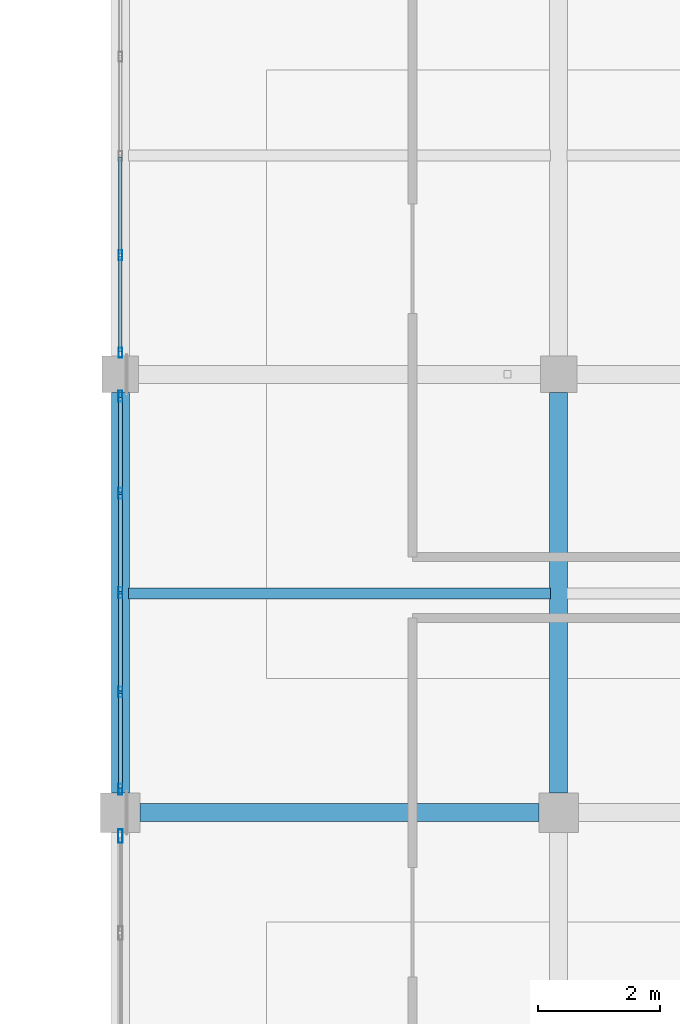
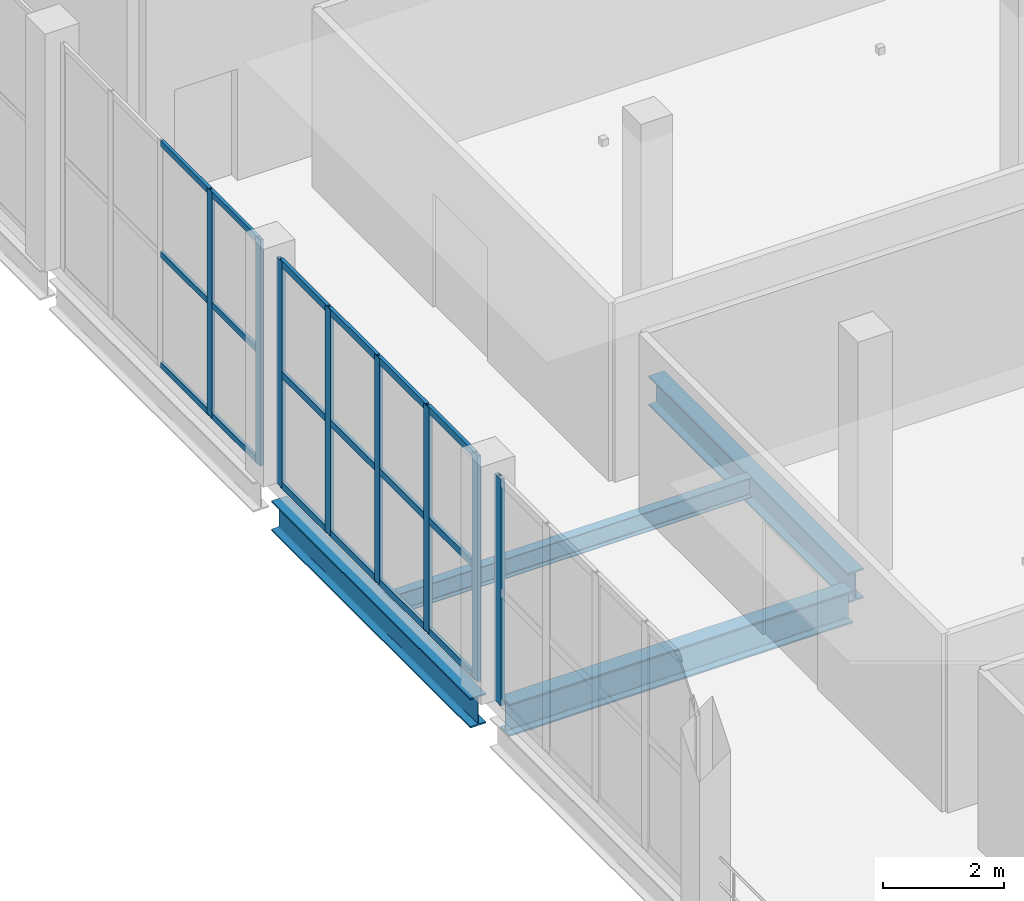
# One storey, part 60 of 105: 26 members, 4 beams, 3 elements without a shape of their own.
"""IFC4 building model written with IfcOpenShell, lengths in metres."""

import ifcopenshell
import ifcopenshell.guid

model = None  # the IFC model being written
_history = None  # IfcOwnerHistory: only IFC2X3 demands one
_inside = {}  # id of a spatial element -> (the spatial element, [elements in it])
_under = {}  # id of a project, library or spatial element -> (it, [spatial elements below it])
_declared = {}  # id of a project -> (the project, [libraries it declares])
_typed = {}  # id of a type object -> (the type object, [elements of that type])
_made_of = {}  # id of a material, layer set ... -> (it, [elements and type objects made of it])


def new_model(schema):
    """Start an empty IFC model of exactly this schema.

    Asked for "IFC4X3", IfcOpenShell would pick the latest addendum, in which some entities
    have other attributes; the version numbers below select the first issue.
    IFC2X3 requires an IfcOwnerHistory on every rooted entity: one is made here for all.
    """
    global model, _history
    if schema == "IFC4X3":
        model = ifcopenshell.file(schema_version=(4, 3, 0, 0))
    else:
        model = ifcopenshell.file(schema=schema)
    _inside.clear()
    _under.clear()
    _declared.clear()
    _typed.clear()
    _made_of.clear()
    _history = None
    if model.schema == "IFC2X3":
        org = make("IfcOrganization", Name="unknown")
        user = make(
            "IfcPersonAndOrganization",
            ThePerson=make("IfcPerson", FamilyName="unknown"),
            TheOrganization=org,
        )
        app = make(
            "IfcApplication",
            ApplicationDeveloper=org,
            Version="unknown",
            ApplicationFullName="unknown",
            ApplicationIdentifier="unknown",
        )
        _history = make(
            "IfcOwnerHistory",
            OwningUser=user,
            OwningApplication=app,
            ChangeAction="ADDED",
            CreationDate=0,
        )
    return model


def make(cls, **values):
    """One entity of the class cls with the attributes given. An attribute that is None is left unset."""
    return model.create_entity(
        cls, **{name: value for name, value in values.items() if value is not None}
    )


def rooted(cls, **values):
    """An entity with a GlobalId (a new one), such as an element, a storey or a relation."""
    return make(cls, GlobalId=ifcopenshell.guid.new(), OwnerHistory=_history, **values)


def si_unit(unit_type, name, prefix=None):
    """IfcSIUnit, for example si_unit("LENGTHUNIT", "METRE", prefix="MILLI")."""
    return make("IfcSIUnit", UnitType=unit_type, Prefix=prefix, Name=name)


def assignment(units):
    """IfcUnitAssignment: the units of a project."""
    return None if units is None else make("IfcUnitAssignment", Units=units)


def point(xyz):
    """IfcCartesianPoint."""
    return None if xyz is None else make("IfcCartesianPoint", Coordinates=xyz)


def direction(xyz):
    """IfcDirection."""
    return None if xyz is None else make("IfcDirection", DirectionRatios=xyz)


def frame(location, z_axis=None, x_axis=None):
    """IfcAxis2Placement3D, a coordinate frame: its origin and axes. An axis left out is left unset."""
    return make(
        "IfcAxis2Placement3D",
        Location=point(location),
        Axis=direction(z_axis),
        RefDirection=direction(x_axis),
    )


def frame_2d(location, x_axis=None):
    """IfcAxis2Placement2D, a coordinate frame in the plane: its origin and x axis."""
    return make(
        "IfcAxis2Placement2D", Location=point(location), RefDirection=direction(x_axis)
    )


def origin():
    """The frame at (0, 0, 0) with its axes left unset."""
    return frame((0.0, 0.0, 0.0))


def origin_2d():
    """The frame at (0, 0) in the plane with its x axis left unset."""
    return frame_2d((0.0, 0.0))


def place(relative_to, where):
    """IfcLocalPlacement: puts the frame where relative to a parent placement (None: the world)."""
    return make(
        "IfcLocalPlacement", PlacementRelTo=relative_to, RelativePlacement=where
    )


def context(
    kind, dimensions, precision=None, world=None, true_north=None, identifier=None
):
    """IfcGeometricRepresentationContext, for example the 3D "Model" context."""
    return make(
        "IfcGeometricRepresentationContext",
        ContextIdentifier=identifier,
        ContextType=kind,
        CoordinateSpaceDimension=dimensions,
        Precision=precision,
        WorldCoordinateSystem=world,
        TrueNorth=true_north,
    )


def subcontext(parent, identifier, kind, view, scale=None):
    """IfcGeometricRepresentationSubContext, for example "Body" below "Model"."""
    return make(
        "IfcGeometricRepresentationSubContext",
        ContextIdentifier=identifier,
        ContextType=kind,
        ParentContext=parent,
        TargetScale=scale,
        TargetView=view,
    )


def project(units=None, contexts=None):
    """IfcProject with its units and contexts."""
    return rooted(
        "IfcProject",
        Name="project",
        RepresentationContexts=contexts,
        UnitsInContext=assignment(units),
    )


def spatial(cls, under=None, at=None, **own):
    """A site, building, storey or space (cls), placed at a placement, below another one or the project."""
    s = rooted(cls, ObjectPlacement=at, **own)
    if under is not None:
        _under.setdefault(under.id(), (under, []))[1].append(s)
    return s


def profile(cls, at=None, kind="AREA", **sizes):
    """A parametric profile (cls). Its sizes go by their IFC names, for example OverallWidth=200.0."""
    return make(cls, ProfileType=kind, Position=at, **sizes)


def hollow_rectangle(**sizes):
    """IfcRectangleHollowProfileDef."""
    return profile("IfcRectangleHollowProfileDef", **sizes)


def i_section(**sizes):
    """IfcIShapeProfileDef."""
    return profile("IfcIShapeProfileDef", **sizes)


def extrude(swept, where, along, depth):
    """IfcExtrudedAreaSolid: the profile swept, set in the frame where, extruded along a direction by depth."""
    return make(
        "IfcExtrudedAreaSolid",
        SweptArea=swept,
        Position=where,
        ExtrudedDirection=direction(along),
        Depth=depth,
    )


def shape(context_of_items, identifier, shape_type, items):
    """IfcShapeRepresentation: the items that make up one representation, for example the "Body"."""
    return make(
        "IfcShapeRepresentation",
        ContextOfItems=context_of_items,
        RepresentationIdentifier=identifier,
        RepresentationType=shape_type,
        Items=items,
    )


def material(Name=None, Category=None):
    """IfcMaterial."""
    return make("IfcMaterial", Name=Name, Category=Category)


def material_profile(
    of_material, cross_section, Name=None, Category=None, Priority=None
):
    """IfcMaterialProfile: a cross section and its material."""
    return make(
        "IfcMaterialProfile",
        Name=Name,
        Material=of_material,
        Profile=cross_section,
        Priority=Priority,
        Category=Category,
    )


def profile_set(profiles, Name=None, composite=None):
    """IfcMaterialProfileSet."""
    return make(
        "IfcMaterialProfileSet",
        Name=Name,
        MaterialProfiles=profiles,
        CompositeProfile=composite,
    )


def made_of(thing, what):
    """Note that an element or type object is made of a material, layer set ...; save() writes the relation."""
    if what is not None:
        _made_of.setdefault(what.id(), (what, []))[1].append(thing)
    return thing


def type_object(cls, material=None, **own):
    """A type object (cls), such as IfcWallType, which elements share."""
    return made_of(rooted(cls, **own), material)


def element(
    cls,
    number,
    at=None,
    inside=None,
    cuts=None,
    type_object=None,
    material=None,
    context=None,
    identifier="Body",
    shape_type=None,
    held_by="IfcProductDefinitionShape",
    body=None,
    shapes=None,
    **own,
):
    """One element of the class cls, such as IfcWall. Its Tag is "e" and its number.

    at: its placement. inside: the storey or other place that contains it. cuts: it is an
    opening in that element (IfcRelVoidsElement). A single representation is given by context,
    identifier, shape_type and body (its items); several are given by shapes. held_by: the class
    of the entity that holds the representations. save() writes the other relations.
    """
    e = rooted(cls, Tag="e%d" % number, ObjectPlacement=at, **own)
    if body is not None:
        shapes = [shape(context, identifier, shape_type, body)]
    if shapes is not None:
        e.Representation = make(held_by, Representations=shapes)
    if inside is not None:
        _inside.setdefault(inside.id(), (inside, []))[1].append(e)
    if cuts is not None:
        rooted(
            "IfcRelVoidsElement", RelatingBuildingElement=cuts, RelatedOpeningElement=e
        )
    if type_object is not None:
        _typed.setdefault(type_object.id(), (type_object, []))[1].append(e)
    return made_of(e, material)


def aggregate(whole, parts):
    """IfcRelAggregates: a whole, such as a stair, and the parts it consists of."""
    return rooted("IfcRelAggregates", RelatingObject=whole, RelatedObjects=parts)


def save(model, path):
    """Write the relations noted so far, then the file.

    IfcRelAggregates (storeys below a building ...), IfcRelContainedInSpatialStructure (elements
    in a storey), IfcRelDefinesByType, IfcRelAssociatesMaterial and IfcRelDeclares: one each for
    every whole, place, type object, material and project.
    """
    for whole, parts in _under.values():
        aggregate(whole, parts)
    for where, things in _inside.values():
        rooted(
            "IfcRelContainedInSpatialStructure",
            RelatedElements=things,
            RelatingStructure=where,
        )
    for kind, things in _typed.values():
        rooted("IfcRelDefinesByType", RelatedObjects=things, RelatingType=kind)
    for what, things in _made_of.values():
        rooted("IfcRelAssociatesMaterial", RelatedObjects=things, RelatingMaterial=what)
    for by, libraries in _declared.values():
        rooted("IfcRelDeclares", RelatingContext=by, RelatedDefinitions=libraries)
    model.write(path)


model = new_model("IFC4")

# Units and contexts
model_context = context("Model", 3, precision=1e-05, world=origin(), true_north=direction((0.0, 1.0)))
body_context = subcontext(model_context, "Body", "Model", "MODEL_VIEW")
ifc_project = project(units=[si_unit("LENGTHUNIT", "METRE"), si_unit("AREAUNIT", "SQUARE_METRE"), si_unit("VOLUMEUNIT", "CUBIC_METRE"), si_unit("PLANEANGLEUNIT", "RADIAN"), si_unit("MASSUNIT", "GRAM", prefix="KILO")], contexts=[model_context])

# Site, building, storey
site_placement = place(None, origin())
site = spatial("IfcSite", under=ifc_project, at=site_placement, CompositionType="ELEMENT")
building_placement = place(site_placement, origin())
building = spatial("IfcBuilding", under=site, at=building_placement, Name="Qandorah Velis Arena", CompositionType="ELEMENT")
storey_placement = place(building_placement, frame((0.0, 0.0, 13.800048828125)))
storey = spatial("IfcBuildingStorey", under=building, at=storey_placement, Name="L03", CompositionType="ELEMENT", Elevation=13.800048828125)

# Curtain wall, members
ifc_material_1 = material(Name="Solar-control low-E double glazing", Category="glass")
curtain_wall_type_1 = type_object("IfcCurtainWallType", Name="ARC-CW-SYS11", PredefinedType="USERDEFINED", material=ifc_material_1)
curtain_wall_1_placement = place(storey_placement, origin())
curtain_wall_1 = element("IfcCurtainWall", 1, at=curtain_wall_1_placement, inside=storey, type_object=curtain_wall_type_1, Name="Unitised curtain wall L03-131", ObjectType="UNITISED CURTAIN WALL", PredefinedType="USERDEFINED")
ifc_material_2 = material(Name="Champagne-bronze anodized aluminium 6063-T6", Category="aluminium")
ifc_material_profile_1 = material_profile(ifc_material_2, hollow_rectangle(XDim=0.06005859375, YDim=0.159912109375, WallThickness=0.00341796875, at=origin_2d()), Name="ALU MULLION 60x160")
ifc_profile_set_1 = profile_set([ifc_material_profile_1], Name="Champagne-bronze anodized aluminium 6063-T6")
member_type_1 = type_object("IfcMemberType", Name="ARC-CWM-160", PredefinedType="MULLION", material=ifc_profile_set_1)
member_1_placement = place(storey_placement, frame((151.199951171875, 72.35498046875, -0.01513671875), z_axis=(0.0, 0.0, 1.0), x_axis=(-1.0, 0.0, 0.0)))
member_1 = element("IfcMember", 2, at=member_1_placement, type_object=member_type_1, Name="CW11 mullion 1", PredefinedType="MULLION", context=body_context, shape_type="SweptSolid", body=[
    extrude(hollow_rectangle(XDim=0.06005859375, YDim=0.159912109375, WallThickness=0.00341796875, at=origin_2d()), origin(), (0.0, 0.0, 1.0), 4.56005859375),
])
member_2_placement = place(storey_placement, frame((151.199951171875, 73.956298828125, -0.01513671875), z_axis=(0.0, 0.0, 1.0), x_axis=(-1.0, 0.0, 0.0)))
member_2 = element("IfcMember", 3, at=member_2_placement, type_object=member_type_1, Name="CW11 mullion 2", PredefinedType="MULLION", context=body_context, shape_type="SweptSolid", body=[
    extrude(hollow_rectangle(XDim=0.06005859375, YDim=0.159912109375, WallThickness=0.00341796875, at=origin_2d()), origin(), (0.0, 0.0, 1.0), 4.56005859375),
])

curtain_wall_type_2 = type_object("IfcCurtainWallType", Name="ARC-CW-SYS10", PredefinedType="USERDEFINED", material=ifc_material_1)
curtain_wall_2_placement = place(storey_placement, origin())
curtain_wall_2 = element("IfcCurtainWall", 4, at=curtain_wall_2_placement, inside=storey, type_object=curtain_wall_type_2, Name="Unitised curtain wall L03-130", ObjectType="UNITISED CURTAIN WALL", PredefinedType="USERDEFINED")
ifc_material_profile_2 = material_profile(ifc_material_2, hollow_rectangle(XDim=0.06494140625, YDim=0.179931640625, WallThickness=0.00341796875, at=origin_2d()), Name="ALU MULLION 65x180")
ifc_profile_set_2 = profile_set([ifc_material_profile_2], Name="Champagne-bronze anodized aluminium 6063-T6")
member_type_2 = type_object("IfcMemberType", Name="ARC-CWM-180", PredefinedType="MULLION", material=ifc_profile_set_2)
member_3_placement = place(storey_placement, frame((151.199951171875, 65.1826171875, -0.01513671875), z_axis=(0.0, 0.0, 1.0), x_axis=(-1.0, 0.0, 0.0)))
member_3 = element("IfcMember", 5, at=member_3_placement, type_object=member_type_2, Name="CW10 mullion 1", PredefinedType="MULLION", context=body_context, shape_type="SweptSolid", body=[
    extrude(hollow_rectangle(XDim=0.06494140625, YDim=0.179931640625, WallThickness=0.00341796875, at=origin_2d()), origin(), (0.0, 0.0, 1.0), 4.56005859375),
])
member_4_placement = place(storey_placement, frame((151.199951171875, 66.78125, -0.01513671875), z_axis=(0.0, 0.0, 1.0), x_axis=(-1.0, 0.0, 0.0)))
member_4 = element("IfcMember", 6, at=member_4_placement, type_object=member_type_2, Name="CW10 mullion 2", PredefinedType="MULLION", context=body_context, shape_type="SweptSolid", body=[
    extrude(hollow_rectangle(XDim=0.06494140625, YDim=0.179931640625, WallThickness=0.00341796875, at=origin_2d()), origin(), (0.0, 0.0, 1.0), 4.56005859375),
])
member_5_placement = place(storey_placement, frame((151.199951171875, 68.41259765625, -0.01513671875), z_axis=(0.0, 0.0, 1.0), x_axis=(-1.0, 0.0, 0.0)))
member_5 = element("IfcMember", 7, at=member_5_placement, type_object=member_type_2, Name="CW10 mullion 3", PredefinedType="MULLION", context=body_context, shape_type="SweptSolid", body=[
    extrude(hollow_rectangle(XDim=0.06494140625, YDim=0.179931640625, WallThickness=0.00341796875, at=origin_2d()), origin(), (0.0, 0.0, 1.0), 4.56005859375),
])
member_6_placement = place(storey_placement, frame((151.199951171875, 70.043701171875, -0.01513671875), z_axis=(0.0, 0.0, 1.0), x_axis=(-1.0, 0.0, 0.0)))
member_6 = element("IfcMember", 8, at=member_6_placement, type_object=member_type_2, Name="CW10 mullion 4", PredefinedType="MULLION", context=body_context, shape_type="SweptSolid", body=[
    extrude(hollow_rectangle(XDim=0.06494140625, YDim=0.179931640625, WallThickness=0.00341796875, at=origin_2d()), origin(), (0.0, 0.0, 1.0), 4.56005859375),
])
member_7_placement = place(storey_placement, frame((151.199951171875, 71.642578125, -0.01513671875), z_axis=(0.0, 0.0, 1.0), x_axis=(-1.0, 0.0, 0.0)))
member_7 = element("IfcMember", 9, at=member_7_placement, type_object=member_type_2, Name="CW10 mullion 5", PredefinedType="MULLION", context=body_context, shape_type="SweptSolid", body=[
    extrude(hollow_rectangle(XDim=0.06494140625, YDim=0.179931640625, WallThickness=0.00341796875, at=origin_2d()), origin(), (0.0, 0.0, 1.0), 4.56005859375),
])

# Curtain wall, member
curtain_wall_type_3 = type_object("IfcCurtainWallType", Name="ARC-CW-SYS09", PredefinedType="USERDEFINED", material=ifc_material_1)
curtain_wall_3_placement = place(storey_placement, origin())
curtain_wall_3 = element("IfcCurtainWall", 10, at=curtain_wall_3_placement, inside=storey, type_object=curtain_wall_type_3, Name="Unitised curtain wall L03-129", ObjectType="UNITISED CURTAIN WALL", PredefinedType="USERDEFINED")
ifc_material_profile_3 = material_profile(ifc_material_2, hollow_rectangle(XDim=0.074951171875, YDim=0.219970703125, WallThickness=0.00390625, at=origin_2d()), Name="ALU MULLION 75x220")
ifc_profile_set_3 = profile_set([ifc_material_profile_3], Name="Champagne-bronze anodized aluminium 6063-T6")
member_type_3 = type_object("IfcMemberType", Name="ARC-CWM-220", PredefinedType="MULLION", material=ifc_profile_set_3)
member_8_placement = place(storey_placement, frame((151.199951171875, 64.41259765625, -0.01513671875), z_axis=(0.0, 0.0, 1.0), x_axis=(-1.0, 0.0, 0.0)))
member_8 = element("IfcMember", 11, at=member_8_placement, type_object=member_type_3, Name="CW09 mullion 5", PredefinedType="MULLION", context=body_context, shape_type="SweptSolid", body=[
    extrude(hollow_rectangle(XDim=0.074951171875, YDim=0.219970703125, WallThickness=0.00390625, at=origin_2d()), origin(), (0.0, 0.0, 1.0), 4.56005859375),
])
aggregate(curtain_wall_3, [member_8])

# Member
ifc_material_profile_4 = material_profile(ifc_material_2, hollow_rectangle(XDim=0.06005859375, YDim=0.1201171875, WallThickness=0.0029296875, at=origin_2d()), Name="ALU TRANSOM 60x120")
ifc_profile_set_4 = profile_set([ifc_material_profile_4], Name="Champagne-bronze anodized aluminium 6063-T6")
member_type_4 = type_object("IfcMemberType", Name="ARC-CWT-120", PredefinedType="USERDEFINED", material=ifc_profile_set_4)
member_9_placement = place(storey_placement, frame((151.199951171875, 72.373046875, 0.030029296875), z_axis=(0.0, 1.0, 0.0), x_axis=(-1.0, 0.0, 0.0)))
member_9 = element("IfcMember", 12, at=member_9_placement, type_object=member_type_4, Name="CW11 transom 1.1", ObjectType="TRANSOM", PredefinedType="USERDEFINED", context=body_context, shape_type="SweptSolid", body=[
    extrude(hollow_rectangle(XDim=0.06005859375, YDim=0.1201171875, WallThickness=0.0029296875, at=origin_2d()), origin(), (0.0, 0.0, 1.0), 1.565185546875),
])

member_10_placement = place(storey_placement, frame((151.199951171875, 72.373046875, 2.264892578125), z_axis=(0.0, 1.0, 0.0), x_axis=(-1.0, 0.0, 0.0)))
member_10 = element("IfcMember", 13, at=member_10_placement, type_object=member_type_4, Name="CW11 transom 1.2", ObjectType="TRANSOM", PredefinedType="USERDEFINED", context=body_context, shape_type="SweptSolid", body=[
    extrude(hollow_rectangle(XDim=0.06005859375, YDim=0.1201171875, WallThickness=0.0029296875, at=origin_2d()), origin(), (0.0, 0.0, 1.0), 1.565185546875),
])

member_11_placement = place(storey_placement, frame((151.199951171875, 72.373046875, 4.5), z_axis=(0.0, 1.0, 0.0), x_axis=(-1.0, 0.0, 0.0)))
member_11 = element("IfcMember", 14, at=member_11_placement, type_object=member_type_4, Name="CW11 transom 1.3", ObjectType="TRANSOM", PredefinedType="USERDEFINED", context=body_context, shape_type="SweptSolid", body=[
    extrude(hollow_rectangle(XDim=0.06005859375, YDim=0.1201171875, WallThickness=0.0029296875, at=origin_2d()), origin(), (0.0, 0.0, 1.0), 1.565185546875),
])

member_12_placement = place(storey_placement, frame((151.199951171875, 73.97412109375, 0.030029296875), z_axis=(0.0, 1.0, 0.0), x_axis=(-1.0, 0.0, 0.0)))
member_12 = element("IfcMember", 15, at=member_12_placement, type_object=member_type_4, Name="CW11 transom 2.1", ObjectType="TRANSOM", PredefinedType="USERDEFINED", context=body_context, shape_type="SweptSolid", body=[
    extrude(hollow_rectangle(XDim=0.06005859375, YDim=0.1201171875, WallThickness=0.0029296875, at=origin_2d()), origin(), (0.0, 0.0, 1.0), 1.595458984375),
])

member_13_placement = place(storey_placement, frame((151.199951171875, 73.97412109375, 2.264892578125), z_axis=(0.0, 1.0, 0.0), x_axis=(-1.0, 0.0, 0.0)))
member_13 = element("IfcMember", 16, at=member_13_placement, type_object=member_type_4, Name="CW11 transom 2.2", ObjectType="TRANSOM", PredefinedType="USERDEFINED", context=body_context, shape_type="SweptSolid", body=[
    extrude(hollow_rectangle(XDim=0.06005859375, YDim=0.1201171875, WallThickness=0.0029296875, at=origin_2d()), origin(), (0.0, 0.0, 1.0), 1.595458984375),
])

member_14_placement = place(storey_placement, frame((151.199951171875, 73.97412109375, 4.5), z_axis=(0.0, 1.0, 0.0), x_axis=(-1.0, 0.0, 0.0)))
member_14 = element("IfcMember", 17, at=member_14_placement, type_object=member_type_4, Name="CW11 transom 2.3", ObjectType="TRANSOM", PredefinedType="USERDEFINED", context=body_context, shape_type="SweptSolid", body=[
    extrude(hollow_rectangle(XDim=0.06005859375, YDim=0.1201171875, WallThickness=0.0029296875, at=origin_2d()), origin(), (0.0, 0.0, 1.0), 1.595458984375),
])

aggregate(curtain_wall_1, [member_1, member_2, member_9, member_10, member_11, member_12, member_13, member_14])

ifc_material_profile_5 = material_profile(ifc_material_2, hollow_rectangle(XDim=0.06494140625, YDim=0.139892578125, WallThickness=0.0029296875, at=origin_2d()), Name="ALU TRANSOM 65x140")
ifc_profile_set_5 = profile_set([ifc_material_profile_5], Name="Champagne-bronze anodized aluminium 6063-T6")
member_type_5 = type_object("IfcMemberType", Name="ARC-CWT-140", PredefinedType="USERDEFINED", material=ifc_profile_set_5)
member_15_placement = place(storey_placement, frame((151.199951171875, 65.202880859375, 0.032470703125), z_axis=(0.0, 1.0, 0.0), x_axis=(-1.0, 0.0, 0.0)))
member_15 = element("IfcMember", 18, at=member_15_placement, type_object=member_type_5, Name="CW10 transom 1.1", ObjectType="TRANSOM", PredefinedType="USERDEFINED", context=body_context, shape_type="SweptSolid", body=[
    extrude(hollow_rectangle(XDim=0.06494140625, YDim=0.139892578125, WallThickness=0.0029296875, at=origin_2d()), origin(), (0.0, 0.0, 1.0), 1.557861328125),
])

member_16_placement = place(storey_placement, frame((151.199951171875, 65.202880859375, 2.264892578125), z_axis=(0.0, 1.0, 0.0), x_axis=(-1.0, 0.0, 0.0)))
member_16 = element("IfcMember", 19, at=member_16_placement, type_object=member_type_5, Name="CW10 transom 1.2", ObjectType="TRANSOM", PredefinedType="USERDEFINED", context=body_context, shape_type="SweptSolid", body=[
    extrude(hollow_rectangle(XDim=0.06494140625, YDim=0.139892578125, WallThickness=0.0029296875, at=origin_2d()), origin(), (0.0, 0.0, 1.0), 1.557861328125),
])

member_17_placement = place(storey_placement, frame((151.199951171875, 65.202880859375, 4.49755859375), z_axis=(0.0, 1.0, 0.0), x_axis=(-1.0, 0.0, 0.0)))
member_17 = element("IfcMember", 20, at=member_17_placement, type_object=member_type_5, Name="CW10 transom 1.3", ObjectType="TRANSOM", PredefinedType="USERDEFINED", context=body_context, shape_type="SweptSolid", body=[
    extrude(hollow_rectangle(XDim=0.06494140625, YDim=0.139892578125, WallThickness=0.0029296875, at=origin_2d()), origin(), (0.0, 0.0, 1.0), 1.557861328125),
])

member_18_placement = place(storey_placement, frame((151.199951171875, 66.8017578125, 0.032470703125), z_axis=(0.0, 1.0, 0.0), x_axis=(-1.0, 0.0, 0.0)))
member_18 = element("IfcMember", 21, at=member_18_placement, type_object=member_type_5, Name="CW10 transom 2.1", ObjectType="TRANSOM", PredefinedType="USERDEFINED", context=body_context, shape_type="SweptSolid", body=[
    extrude(hollow_rectangle(XDim=0.06494140625, YDim=0.139892578125, WallThickness=0.0029296875, at=origin_2d()), origin(), (0.0, 0.0, 1.0), 1.59033203125),
])

member_19_placement = place(storey_placement, frame((151.199951171875, 66.8017578125, 2.264892578125), z_axis=(0.0, 1.0, 0.0), x_axis=(-1.0, 0.0, 0.0)))
member_19 = element("IfcMember", 22, at=member_19_placement, type_object=member_type_5, Name="CW10 transom 2.2", ObjectType="TRANSOM", PredefinedType="USERDEFINED", context=body_context, shape_type="SweptSolid", body=[
    extrude(hollow_rectangle(XDim=0.06494140625, YDim=0.139892578125, WallThickness=0.0029296875, at=origin_2d()), origin(), (0.0, 0.0, 1.0), 1.59033203125),
])

member_20_placement = place(storey_placement, frame((151.199951171875, 66.8017578125, 4.49755859375), z_axis=(0.0, 1.0, 0.0), x_axis=(-1.0, 0.0, 0.0)))
member_20 = element("IfcMember", 23, at=member_20_placement, type_object=member_type_5, Name="CW10 transom 2.3", ObjectType="TRANSOM", PredefinedType="USERDEFINED", context=body_context, shape_type="SweptSolid", body=[
    extrude(hollow_rectangle(XDim=0.06494140625, YDim=0.139892578125, WallThickness=0.0029296875, at=origin_2d()), origin(), (0.0, 0.0, 1.0), 1.59033203125),
])

member_21_placement = place(storey_placement, frame((151.199951171875, 68.43310546875, 0.032470703125), z_axis=(0.0, 1.0, 0.0), x_axis=(-1.0, 0.0, 0.0)))
member_21 = element("IfcMember", 24, at=member_21_placement, type_object=member_type_5, Name="CW10 transom 3.1", ObjectType="TRANSOM", PredefinedType="USERDEFINED", context=body_context, shape_type="SweptSolid", body=[
    extrude(hollow_rectangle(XDim=0.06494140625, YDim=0.139892578125, WallThickness=0.0029296875, at=origin_2d()), origin(), (0.0, 0.0, 1.0), 1.590087890625),
])

member_22_placement = place(storey_placement, frame((151.199951171875, 68.43310546875, 2.264892578125), z_axis=(0.0, 1.0, 0.0), x_axis=(-1.0, 0.0, 0.0)))
member_22 = element("IfcMember", 25, at=member_22_placement, type_object=member_type_5, Name="CW10 transom 3.2", ObjectType="TRANSOM", PredefinedType="USERDEFINED", context=body_context, shape_type="SweptSolid", body=[
    extrude(hollow_rectangle(XDim=0.06494140625, YDim=0.139892578125, WallThickness=0.0029296875, at=origin_2d()), origin(), (0.0, 0.0, 1.0), 1.590087890625),
])

member_23_placement = place(storey_placement, frame((151.199951171875, 68.43310546875, 4.49755859375), z_axis=(0.0, 1.0, 0.0), x_axis=(-1.0, 0.0, 0.0)))
member_23 = element("IfcMember", 26, at=member_23_placement, type_object=member_type_5, Name="CW10 transom 3.3", ObjectType="TRANSOM", PredefinedType="USERDEFINED", context=body_context, shape_type="SweptSolid", body=[
    extrude(hollow_rectangle(XDim=0.06494140625, YDim=0.139892578125, WallThickness=0.0029296875, at=origin_2d()), origin(), (0.0, 0.0, 1.0), 1.590087890625),
])

member_24_placement = place(storey_placement, frame((151.199951171875, 70.064208984375, 0.032470703125), z_axis=(0.0, 1.0, 0.0), x_axis=(-1.0, 0.0, 0.0)))
member_24 = element("IfcMember", 27, at=member_24_placement, type_object=member_type_5, Name="CW10 transom 4.1", ObjectType="TRANSOM", PredefinedType="USERDEFINED", context=body_context, shape_type="SweptSolid", body=[
    extrude(hollow_rectangle(XDim=0.06494140625, YDim=0.139892578125, WallThickness=0.0029296875, at=origin_2d()), origin(), (0.0, 0.0, 1.0), 1.557861328125),
])

member_25_placement = place(storey_placement, frame((151.199951171875, 70.064208984375, 2.264892578125), z_axis=(0.0, 1.0, 0.0), x_axis=(-1.0, 0.0, 0.0)))
member_25 = element("IfcMember", 28, at=member_25_placement, type_object=member_type_5, Name="CW10 transom 4.2", ObjectType="TRANSOM", PredefinedType="USERDEFINED", context=body_context, shape_type="SweptSolid", body=[
    extrude(hollow_rectangle(XDim=0.06494140625, YDim=0.139892578125, WallThickness=0.0029296875, at=origin_2d()), origin(), (0.0, 0.0, 1.0), 1.557861328125),
])

member_26_placement = place(storey_placement, frame((151.199951171875, 70.064208984375, 4.49755859375), z_axis=(0.0, 1.0, 0.0), x_axis=(-1.0, 0.0, 0.0)))
member_26 = element("IfcMember", 29, at=member_26_placement, type_object=member_type_5, Name="CW10 transom 4.3", ObjectType="TRANSOM", PredefinedType="USERDEFINED", context=body_context, shape_type="SweptSolid", body=[
    extrude(hollow_rectangle(XDim=0.06494140625, YDim=0.139892578125, WallThickness=0.0029296875, at=origin_2d()), origin(), (0.0, 0.0, 1.0), 1.557861328125),
])

aggregate(curtain_wall_2, [member_3, member_4, member_5, member_6, member_7, member_15, member_16, member_17, member_18, member_19, member_20, member_21, member_22, member_23, member_24, member_25, member_26])

# Beams
ifc_material_3 = material(Name="Steel S355", Category="steel")
ifc_material_profile_6 = material_profile(ifc_material_3, i_section(OverallWidth=0.300048828125, OverallDepth=0.60009765625, WebThickness=0.015380859375, FlangeThickness=0.030029296875, FilletRadius=0.027099609375, at=origin_2d()), Name="HEB 600")
ifc_profile_set_6 = profile_set([ifc_material_profile_6], Name="Steel S355")
beam_type_1 = type_object("IfcBeamType", Name="STR-BM-HEB600", PredefinedType="BEAM", material=ifc_profile_set_6)
for number, where, z_axis, x_axis, name in (
    (30, (151.199951171875, 65.125, -0.6201171875), (0.0, 1.0, 0.0), (-1.0, 0.0, 0.0), "Primary floor girder L03 Y-329"),
    (31, (158.39990234375, 65.125, -0.6201171875), (0.0, 1.0, 0.0), (-1.0, 0.0, 0.0), "Primary floor girder L03 Y-333"),
):
    element("IfcBeam", number, at=place(storey_placement, frame(where, z_axis=z_axis, x_axis=x_axis)), inside=storey, type_object=beam_type_1, Name=name, PredefinedType="BEAM", context=body_context, shape_type="SweptSolid", body=[
        extrude(i_section(OverallWidth=0.300048828125, OverallDepth=0.60009765625, WebThickness=0.015380859375, FlangeThickness=0.030029296875, FilletRadius=0.027099609375, at=origin_2d()), origin(), (0.0, 0.0, 1.0), 6.574951171875),
    ])
ifc_material_profile_7 = material_profile(ifc_material_3, i_section(OverallWidth=0.300048828125, OverallDepth=0.64990234375, WebThickness=0.01611328125, FlangeThickness=0.031005859375, FilletRadius=0.027099609375, at=origin_2d()), Name="HEB 650")
ifc_profile_set_7 = profile_set([ifc_material_profile_7], Name="Steel S355")
beam_type_2 = type_object("IfcBeamType", Name="STR-BM-HEB650", PredefinedType="BEAM", material=ifc_profile_set_7)
beam_1_placement = place(storey_placement, frame((151.52490234375, 64.800048828125, -0.64501953125), z_axis=(1.0, 0.0, 0.0), x_axis=(0.0, 1.0, 0.0)))
element("IfcBeam", 32, at=beam_1_placement, inside=storey, type_object=beam_type_2, Name="Primary floor girder L03 X-093", PredefinedType="BEAM", context=body_context, shape_type="SweptSolid", body=[
    extrude(i_section(OverallWidth=0.300048828125, OverallDepth=0.64990234375, WebThickness=0.01611328125, FlangeThickness=0.031005859375, FilletRadius=0.027099609375, at=origin_2d()), origin(), (0.0, 0.0, 1.0), 6.550048828125),
])
ifc_material_profile_8 = material_profile(ifc_material_3, i_section(OverallWidth=0.179931640625, OverallDepth=0.39990234375, WebThickness=0.008544921875, FlangeThickness=0.013427734375, FilletRadius=0.02099609375, at=origin_2d()), Name="IPE 400")
ifc_profile_set_8 = profile_set([ifc_material_profile_8], Name="Steel S355")
beam_type_3 = type_object("IfcBeamType", Name="STR-JST-IPE400", PredefinedType="JOIST", material=ifc_profile_set_8)
beam_2_placement = place(storey_placement, frame((151.3349609375, 68.39990234375, -0.52001953125), z_axis=(1.0, 0.0, 0.0), x_axis=(0.0, 1.0, 0.0)))
element("IfcBeam", 33, at=beam_2_placement, inside=storey, type_object=beam_type_3, Name="Secondary floor joist L03-099", PredefinedType="JOIST", context=body_context, shape_type="SweptSolid", body=[
    extrude(i_section(OverallWidth=0.179931640625, OverallDepth=0.39990234375, WebThickness=0.008544921875, FlangeThickness=0.013427734375, FilletRadius=0.02099609375, at=origin_2d()), origin(), (0.0, 0.0, 1.0), 6.929931640625),
])

save(model, "model.ifc")
